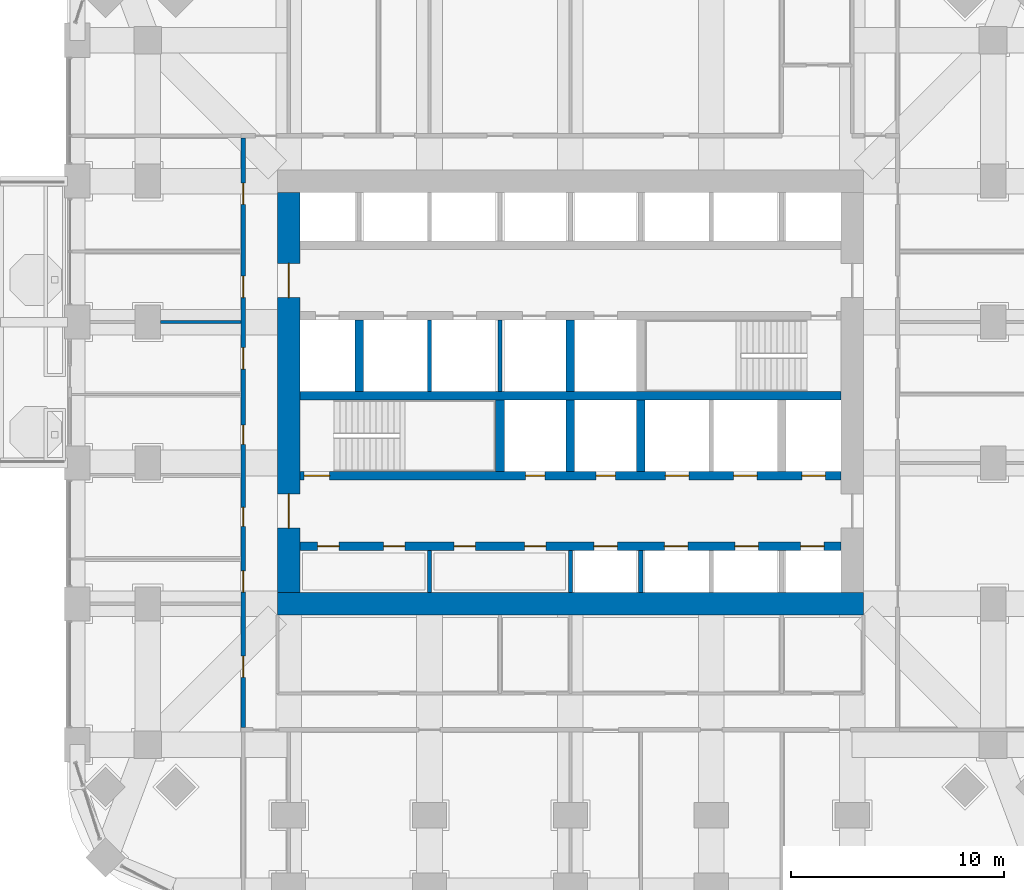
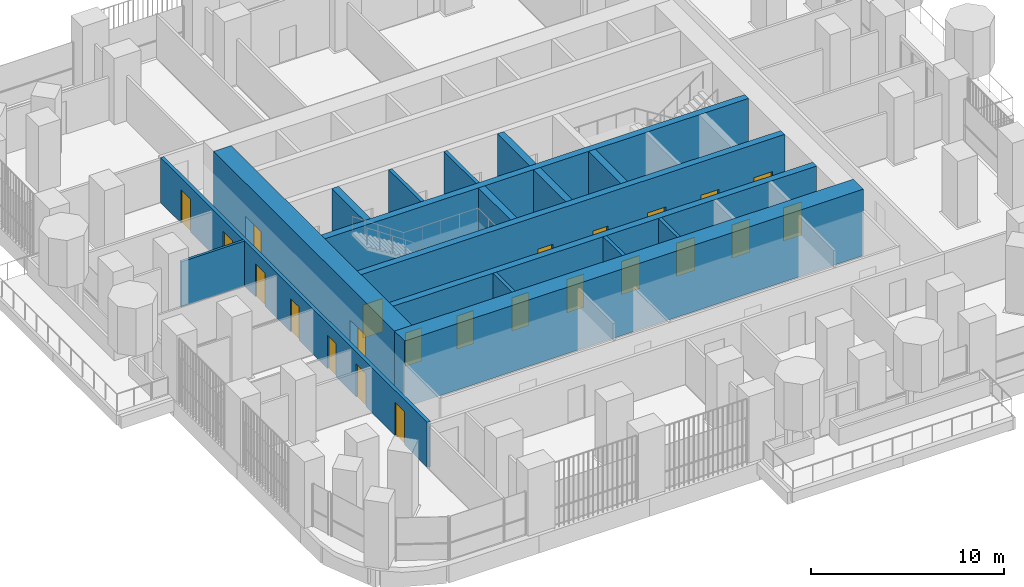
# One storey, part 15 of 23: 23 doors, 17 walls, 23 openings.
"""IFC4 building model written with IfcOpenShell, lengths in metres."""

from ifc_helpers import new_model, si_unit, direction, frame, frame_2d, origin, place, context, subcontext, project, spatial, rectangle, extrude, material, layer, layer_set, type_object, element, fill, save


model = new_model("IFC4")

# Units and contexts
model_context = context("Model", 3, precision=1e-05, world=origin(), true_north=direction((0.0, 1.0)))
body_context = subcontext(model_context, "Body", "Model", "MODEL_VIEW")
ifc_project = project(units=[si_unit("LENGTHUNIT", "METRE"), si_unit("AREAUNIT", "SQUARE_METRE"), si_unit("VOLUMEUNIT", "CUBIC_METRE"), si_unit("PLANEANGLEUNIT", "RADIAN"), si_unit("MASSUNIT", "GRAM", prefix="KILO")], contexts=[model_context])

# Site, building, storey
site_placement = place(None, origin())
site = spatial("IfcSite", under=ifc_project, at=site_placement, CompositionType="ELEMENT")
building_placement = place(site_placement, origin())
building = spatial("IfcBuilding", under=site, at=building_placement, Name="Cobogo Forest Laboratory Tower", CompositionType="ELEMENT")
storey_placement = place(building_placement, frame((0.0, 0.0, 103.199951171875)))
storey = spatial("IfcBuildingStorey", under=building, at=storey_placement, Name="L23", CompositionType="ELEMENT", Elevation=103.199951171875)

# Wall, openings, doors
ifc_material_1 = material(Name="Concrete HA-50 (C50/60)", Category="concrete")
ifc_layer_1 = layer(ifc_material_1, 0.39990234375)
ifc_layer_set_1 = layer_set([ifc_layer_1], Name="CI400 core inner wall 400")
wall_type_1 = type_object("IfcWallType", Name="CI400 core inner wall 400", PredefinedType="SHEAR", material=ifc_layer_set_1)
wall_1_placement = place(storey_placement, frame((13.72509765625, 15.89990234375, 0.0), z_axis=(0.0, 0.0, 1.0), x_axis=(1.0, 0.0, 0.0)))
wall_1 = element("IfcWall", 1, at=wall_1_placement, inside=storey, type_object=wall_type_1, Name="Core wall CI-15.9 L23", PredefinedType="SHEAR", context=body_context, shape_type="SweptSolid", body=[
    extrude(rectangle(XDim=25.349853515625, YDim=0.39990234375, at=frame_2d((12.6748046875, 0.0))), origin(), (0.0, 0.0, 1.0), 4.199951171875),
])
opening_1_placement = place(wall_1_placement, frame((0.83740234375, 0.0, 0.0)))
opening_1 = element("IfcOpeningElement", 2, at=opening_1_placement, cuts=wall_1, Name="Opening L23-D14", PredefinedType="OPENING", context=body_context, shape_type="SweptSolid", body=[
    extrude(rectangle(XDim=1.0, YDim=2.10009765625, at=frame_2d((0.5, 1.050048828125))), frame((0.0, 0.2099609375, 0.0), z_axis=(0.0, -1.0, 0.0), x_axis=(1.0, 0.0, 0.0)), (0.0, 0.0, 1.0), 0.419921875),
])
opening_2_placement = place(wall_1_placement, frame((3.925048828125, 0.0, 0.0)))
opening_2 = element("IfcOpeningElement", 3, at=opening_2_placement, cuts=wall_1, Name="Opening L23-D15", PredefinedType="OPENING", context=body_context, shape_type="SweptSolid", body=[
    extrude(rectangle(XDim=1.0, YDim=2.10009765625, at=frame_2d((0.5, 1.050048828125))), frame((0.0, 0.2099609375, 0.0), z_axis=(0.0, -1.0, 0.0), x_axis=(1.0, 0.0, 0.0)), (0.0, 0.0, 1.0), 0.419921875),
])
opening_3_placement = place(wall_1_placement, frame((7.22509765625, 0.0, 0.0)))
opening_3 = element("IfcOpeningElement", 4, at=opening_3_placement, cuts=wall_1, Name="Opening L23-D16", PredefinedType="OPENING", context=body_context, shape_type="SweptSolid", body=[
    extrude(rectangle(XDim=1.0, YDim=2.10009765625, at=frame_2d((0.5, 1.050048828125))), frame((0.0, 0.2099609375, 0.0), z_axis=(0.0, -1.0, 0.0), x_axis=(1.0, 0.0, 0.0)), (0.0, 0.0, 1.0), 0.419921875),
])
opening_4_placement = place(wall_1_placement, frame((10.52490234375, 0.0, 0.0)))
opening_4 = element("IfcOpeningElement", 5, at=opening_4_placement, cuts=wall_1, Name="Opening L23-D17", PredefinedType="OPENING", context=body_context, shape_type="SweptSolid", body=[
    extrude(rectangle(XDim=1.0, YDim=2.10009765625, at=frame_2d((0.5, 1.050048828125))), frame((0.0, 0.2099609375, 0.0), z_axis=(0.0, -1.0, 0.0), x_axis=(1.0, 0.0, 0.0)), (0.0, 0.0, 1.0), 0.419921875),
])
opening_5_placement = place(wall_1_placement, frame((13.77490234375, 0.0, 0.0)))
opening_5 = element("IfcOpeningElement", 6, at=opening_5_placement, cuts=wall_1, Name="Opening L23-LD-LB1", PredefinedType="OPENING", context=body_context, shape_type="SweptSolid", body=[
    extrude(rectangle(XDim=1.10009765625, YDim=2.10009765625, at=frame_2d((0.550048828125, 1.050048828125))), frame((0.0, 0.2099609375, 0.0), z_axis=(0.0, -1.0, 0.0), x_axis=(1.0, 0.0, 0.0)), (0.0, 0.0, 1.0), 0.419921875),
])
opening_6_placement = place(wall_1_placement, frame((17.074951171875, 0.0, 0.0)))
opening_6 = element("IfcOpeningElement", 7, at=opening_6_placement, cuts=wall_1, Name="Opening L23-LD-LB2", PredefinedType="OPENING", context=body_context, shape_type="SweptSolid", body=[
    extrude(rectangle(XDim=1.10009765625, YDim=2.10009765625, at=frame_2d((0.550048828125, 1.050048828125))), frame((0.0, 0.2099609375, 0.0), z_axis=(0.0, -1.0, 0.0), x_axis=(1.0, 0.0, 0.0)), (0.0, 0.0, 1.0), 0.419921875),
])
opening_7_placement = place(wall_1_placement, frame((20.375, 0.0, 0.0)))
opening_7 = element("IfcOpeningElement", 8, at=opening_7_placement, cuts=wall_1, Name="Opening L23-LD-LB3", PredefinedType="OPENING", context=body_context, shape_type="SweptSolid", body=[
    extrude(rectangle(XDim=1.10009765625, YDim=2.10009765625, at=frame_2d((0.550048828125, 1.050048828125))), frame((0.0, 0.2099609375, 0.0), z_axis=(0.0, -1.0, 0.0), x_axis=(1.0, 0.0, 0.0)), (0.0, 0.0, 1.0), 0.419921875),
])
opening_8_placement = place(wall_1_placement, frame((23.46240234375, 0.0, 0.0)))
opening_8 = element("IfcOpeningElement", 9, at=opening_8_placement, cuts=wall_1, Name="Opening L23-LD-LB4", PredefinedType="OPENING", context=body_context, shape_type="SweptSolid", body=[
    extrude(rectangle(XDim=1.10009765625, YDim=2.10009765625, at=frame_2d((0.550048828125, 1.050048828125))), frame((0.0, 0.2099609375, 0.0), z_axis=(0.0, -1.0, 0.0), x_axis=(1.0, 0.0, 0.0)), (0.0, 0.0, 1.0), 0.419921875),
])
ifc_material_2 = material(Name="Steel fire door", Category="steel")
door_type_1 = type_object("IfcDoorType", Name="FD1 fire door 1000 EI2 60", OperationType="SINGLE_SWING_LEFT", PredefinedType="DOOR", material=ifc_material_2)
door_1_placement = place(opening_1_placement, origin())
door_1 = element("IfcDoor", 10, at=door_1_placement, inside=storey, type_object=door_type_1, Name="Door L23-SH-LA1", OperationType="SINGLE_SWING_LEFT", OverallHeight=2.10009765625, OverallWidth=1.0, PredefinedType="DOOR", context=body_context, shape_type="SweptSolid", body=[
    extrude(rectangle(XDim=1.0, YDim=2.10009765625, at=frame_2d((0.5, 1.050048828125))), frame((0.0, 0.02490234375, 0.0), z_axis=(0.0, -1.0, 0.0), x_axis=(1.0, 0.0, 0.0)), (0.0, 0.0, 1.0), 0.050048828125),
])
fill(opening_1, door_1)
door_2_placement = place(opening_2_placement, origin())
door_2 = element("IfcDoor", 11, at=door_2_placement, inside=storey, type_object=door_type_1, Name="Door L23-SH-LA2", OperationType="SINGLE_SWING_LEFT", OverallHeight=2.10009765625, OverallWidth=1.0, PredefinedType="DOOR", context=body_context, shape_type="SweptSolid", body=[
    extrude(rectangle(XDim=1.0, YDim=2.10009765625, at=frame_2d((0.5, 1.050048828125))), frame((0.0, 0.02490234375, 0.0), z_axis=(0.0, -1.0, 0.0), x_axis=(1.0, 0.0, 0.0)), (0.0, 0.0, 1.0), 0.050048828125),
])
fill(opening_2, door_2)
door_3_placement = place(opening_3_placement, origin())
door_3 = element("IfcDoor", 12, at=door_3_placement, inside=storey, type_object=door_type_1, Name="Door L23-SH-LA3", OperationType="SINGLE_SWING_LEFT", OverallHeight=2.10009765625, OverallWidth=1.0, PredefinedType="DOOR", context=body_context, shape_type="SweptSolid", body=[
    extrude(rectangle(XDim=1.0, YDim=2.10009765625, at=frame_2d((0.5, 1.050048828125))), frame((0.0, 0.02490234375, 0.0), z_axis=(0.0, -1.0, 0.0), x_axis=(1.0, 0.0, 0.0)), (0.0, 0.0, 1.0), 0.050048828125),
])
fill(opening_3, door_3)
door_4_placement = place(opening_4_placement, origin())
door_4 = element("IfcDoor", 13, at=door_4_placement, inside=storey, type_object=door_type_1, Name="Door L23-SH-LA4", OperationType="SINGLE_SWING_LEFT", OverallHeight=2.10009765625, OverallWidth=1.0, PredefinedType="DOOR", context=body_context, shape_type="SweptSolid", body=[
    extrude(rectangle(XDim=1.0, YDim=2.10009765625, at=frame_2d((0.5, 1.050048828125))), frame((0.0, 0.02490234375, 0.0), z_axis=(0.0, -1.0, 0.0), x_axis=(1.0, 0.0, 0.0)), (0.0, 0.0, 1.0), 0.050048828125),
])
fill(opening_4, door_4)
ifc_material_3 = material(Name="Stainless steel lift door", Category="steel")
door_type_2 = type_object("IfcDoorType", Name="LD lift landing door 1100", OperationType="DOUBLE_DOOR_SLIDING", PredefinedType="DOOR", material=ifc_material_3)
door_5_placement = place(opening_5_placement, origin())
door_5 = element("IfcDoor", 14, at=door_5_placement, inside=storey, type_object=door_type_2, Name="Lift landing door LB1 L23", OperationType="DOUBLE_DOOR_SLIDING", OverallHeight=2.10009765625, OverallWidth=1.10009765625, PredefinedType="DOOR", context=body_context, shape_type="SweptSolid", body=[
    extrude(rectangle(XDim=1.10009765625, YDim=2.10009765625, at=frame_2d((0.550048828125, 1.050048828125))), frame((0.0, 0.02490234375, 0.0), z_axis=(0.0, -1.0, 0.0), x_axis=(1.0, 0.0, 0.0)), (0.0, 0.0, 1.0), 0.050048828125),
])
fill(opening_5, door_5)
door_6_placement = place(opening_6_placement, origin())
door_6 = element("IfcDoor", 15, at=door_6_placement, inside=storey, type_object=door_type_2, Name="Lift landing door LB2 L23", OperationType="DOUBLE_DOOR_SLIDING", OverallHeight=2.10009765625, OverallWidth=1.10009765625, PredefinedType="DOOR", context=body_context, shape_type="SweptSolid", body=[
    extrude(rectangle(XDim=1.10009765625, YDim=2.10009765625, at=frame_2d((0.550048828125, 1.050048828125))), frame((0.0, 0.02490234375, 0.0), z_axis=(0.0, -1.0, 0.0), x_axis=(1.0, 0.0, 0.0)), (0.0, 0.0, 1.0), 0.050048828125),
])
fill(opening_6, door_6)
door_7_placement = place(opening_7_placement, origin())
door_7 = element("IfcDoor", 16, at=door_7_placement, inside=storey, type_object=door_type_2, Name="Lift landing door LB3 L23", OperationType="DOUBLE_DOOR_SLIDING", OverallHeight=2.10009765625, OverallWidth=1.10009765625, PredefinedType="DOOR", context=body_context, shape_type="SweptSolid", body=[
    extrude(rectangle(XDim=1.10009765625, YDim=2.10009765625, at=frame_2d((0.550048828125, 1.050048828125))), frame((0.0, 0.02490234375, 0.0), z_axis=(0.0, -1.0, 0.0), x_axis=(1.0, 0.0, 0.0)), (0.0, 0.0, 1.0), 0.050048828125),
])
fill(opening_7, door_7)
door_8_placement = place(opening_8_placement, origin())
door_8 = element("IfcDoor", 17, at=door_8_placement, inside=storey, type_object=door_type_2, Name="Lift landing door LB4 L23", OperationType="DOUBLE_DOOR_SLIDING", OverallHeight=2.10009765625, OverallWidth=1.10009765625, PredefinedType="DOOR", context=body_context, shape_type="SweptSolid", body=[
    extrude(rectangle(XDim=1.10009765625, YDim=2.10009765625, at=frame_2d((0.550048828125, 1.050048828125))), frame((0.0, 0.02490234375, 0.0), z_axis=(0.0, -1.0, 0.0), x_axis=(1.0, 0.0, 0.0)), (0.0, 0.0, 1.0), 0.050048828125),
])
fill(opening_8, door_8)

wall_2_placement = place(storey_placement, frame((13.72509765625, 19.199951171875, 0.0), z_axis=(0.0, 0.0, 1.0), x_axis=(1.0, 0.0, 0.0)))
wall_2 = element("IfcWall", 18, at=wall_2_placement, inside=storey, type_object=wall_type_1, Name="Core wall CI-19.2 L23", PredefinedType="SHEAR", context=body_context, shape_type="SweptSolid", body=[
    extrude(rectangle(XDim=25.349853515625, YDim=0.39990234375, at=frame_2d((12.6748046875, 0.0))), origin(), (0.0, 0.0, 1.0), 4.199951171875),
])
opening_9_placement = place(wall_2_placement, frame((10.574951171875, 0.0, 0.0)))
opening_9 = element("IfcOpeningElement", 19, at=opening_9_placement, cuts=wall_2, Name="Opening L23-D22", PredefinedType="OPENING", context=body_context, shape_type="SweptSolid", body=[
    extrude(rectangle(XDim=0.89990234375, YDim=2.10009765625, at=frame_2d((0.449951171875, 1.050048828125))), frame((0.0, 0.2099609375, 0.0), z_axis=(0.0, -1.0, 0.0), x_axis=(1.0, 0.0, 0.0)), (0.0, 0.0, 1.0), 0.419921875),
])
opening_10_placement = place(wall_2_placement, frame((13.875, 0.0, 0.0)))
opening_10 = element("IfcOpeningElement", 20, at=opening_10_placement, cuts=wall_2, Name="Opening L23-D23", PredefinedType="OPENING", context=body_context, shape_type="SweptSolid", body=[
    extrude(rectangle(XDim=0.89990234375, YDim=2.10009765625, at=frame_2d((0.449951171875, 1.050048828125))), frame((0.0, 0.2099609375, 0.0), z_axis=(0.0, -1.0, 0.0), x_axis=(1.0, 0.0, 0.0)), (0.0, 0.0, 1.0), 0.419921875),
])
opening_11_placement = place(wall_2_placement, frame((0.199951171875, 0.0, 0.0)))
opening_11 = element("IfcOpeningElement", 21, at=opening_11_placement, cuts=wall_2, Name="Opening L23-D21", PredefinedType="OPENING", context=body_context, shape_type="SweptSolid", body=[
    extrude(rectangle(XDim=1.199951171875, YDim=2.10009765625, at=frame_2d((0.60009765625, 1.050048828125))), frame((0.0, 0.2099609375, 0.0), z_axis=(0.0, -1.0, 0.0), x_axis=(1.0, 0.0, 0.0)), (0.0, 0.0, 1.0), 0.419921875),
])
opening_12_placement = place(wall_2_placement, frame((23.512451171875, 0.0, 0.0)))
opening_12 = element("IfcOpeningElement", 22, at=opening_12_placement, cuts=wall_2, Name="Opening L23-LD-FL2", PredefinedType="OPENING", context=body_context, shape_type="SweptSolid", body=[
    extrude(rectangle(XDim=1.10009765625, YDim=2.10009765625, at=frame_2d((0.550048828125, 1.050048828125))), frame((0.0, 0.2099609375, 0.0), z_axis=(0.0, -1.0, 0.0), x_axis=(1.0, 0.0, 0.0)), (0.0, 0.0, 1.0), 0.419921875),
])
opening_13_placement = place(wall_2_placement, frame((17.125, 0.0, 0.0)))
opening_13 = element("IfcOpeningElement", 23, at=opening_13_placement, cuts=wall_2, Name="Opening L23-LD-LS1", PredefinedType="OPENING", context=body_context, shape_type="SweptSolid", body=[
    extrude(rectangle(XDim=1.10009765625, YDim=2.10009765625, at=frame_2d((0.550048828125, 1.050048828125))), frame((0.0, 0.2099609375, 0.0), z_axis=(0.0, -1.0, 0.0), x_axis=(1.0, 0.0, 0.0)), (0.0, 0.0, 1.0), 0.419921875),
])
opening_14_placement = place(wall_2_placement, frame((20.324951171875, 0.0, 0.0)))
opening_14 = element("IfcOpeningElement", 24, at=opening_14_placement, cuts=wall_2, Name="Opening L23-LD-LS2", PredefinedType="OPENING", context=body_context, shape_type="SweptSolid", body=[
    extrude(rectangle(XDim=1.10009765625, YDim=2.10009765625, at=frame_2d((0.550048828125, 1.050048828125))), frame((0.0, 0.2099609375, 0.0), z_axis=(0.0, -1.0, 0.0), x_axis=(1.0, 0.0, 0.0)), (0.0, 0.0, 1.0), 0.419921875),
])
door_type_3 = type_object("IfcDoorType", Name="DS1 protected stair door 1200 EI2 60", OperationType="SINGLE_SWING_LEFT", PredefinedType="DOOR", material=ifc_material_2)
door_9_placement = place(opening_11_placement, origin())
door_9 = element("IfcDoor", 25, at=door_9_placement, inside=storey, type_object=door_type_3, Name="Door L23-ST1", OperationType="SINGLE_SWING_LEFT", OverallHeight=2.10009765625, OverallWidth=1.199951171875, PredefinedType="DOOR", context=body_context, shape_type="SweptSolid", body=[
    extrude(rectangle(XDim=1.199951171875, YDim=2.10009765625, at=frame_2d((0.60009765625, 1.050048828125))), frame((0.0, 0.02490234375, 0.0), z_axis=(0.0, -1.0, 0.0), x_axis=(1.0, 0.0, 0.0)), (0.0, 0.0, 1.0), 0.050048828125),
])
fill(opening_11, door_9)
door_type_4 = type_object("IfcDoorType", Name="FD4 riser access door 900 EI2 60", OperationType="SINGLE_SWING_LEFT", PredefinedType="DOOR", material=ifc_material_2)
door_10_placement = place(opening_9_placement, origin())
door_10 = element("IfcDoor", 26, at=door_10_placement, inside=storey, type_object=door_type_4, Name="Door L23-R1", OperationType="SINGLE_SWING_LEFT", OverallHeight=2.10009765625, OverallWidth=0.89990234375, PredefinedType="DOOR", context=body_context, shape_type="SweptSolid", body=[
    extrude(rectangle(XDim=0.89990234375, YDim=2.10009765625, at=frame_2d((0.449951171875, 1.050048828125))), frame((0.0, 0.02490234375, 0.0), z_axis=(0.0, -1.0, 0.0), x_axis=(1.0, 0.0, 0.0)), (0.0, 0.0, 1.0), 0.050048828125),
])
fill(opening_9, door_10)
door_11_placement = place(opening_10_placement, origin())
door_11 = element("IfcDoor", 27, at=door_11_placement, inside=storey, type_object=door_type_4, Name="Door L23-R2", OperationType="SINGLE_SWING_RIGHT", OverallHeight=2.10009765625, OverallWidth=0.89990234375, PredefinedType="DOOR", context=body_context, shape_type="SweptSolid", body=[
    extrude(rectangle(XDim=0.89990234375, YDim=2.10009765625, at=frame_2d((0.449951171875, 1.050048828125))), frame((0.0, 0.02490234375, 0.0), z_axis=(0.0, -1.0, 0.0), x_axis=(1.0, 0.0, 0.0)), (0.0, 0.0, 1.0), 0.050048828125),
])
fill(opening_10, door_11)
door_12_placement = place(opening_12_placement, origin())
door_12 = element("IfcDoor", 28, at=door_12_placement, inside=storey, type_object=door_type_2, Name="Lift landing door FL2 L23", OperationType="DOUBLE_DOOR_SLIDING", OverallHeight=2.10009765625, OverallWidth=1.10009765625, PredefinedType="DOOR", context=body_context, shape_type="SweptSolid", body=[
    extrude(rectangle(XDim=1.10009765625, YDim=2.10009765625, at=frame_2d((0.550048828125, 1.050048828125))), frame((0.0, 0.02490234375, 0.0), z_axis=(0.0, -1.0, 0.0), x_axis=(1.0, 0.0, 0.0)), (0.0, 0.0, 1.0), 0.050048828125),
])
fill(opening_12, door_12)
door_13_placement = place(opening_13_placement, origin())
door_13 = element("IfcDoor", 29, at=door_13_placement, inside=storey, type_object=door_type_2, Name="Lift landing door LS1 L23", OperationType="DOUBLE_DOOR_SLIDING", OverallHeight=2.10009765625, OverallWidth=1.10009765625, PredefinedType="DOOR", context=body_context, shape_type="SweptSolid", body=[
    extrude(rectangle(XDim=1.10009765625, YDim=2.10009765625, at=frame_2d((0.550048828125, 1.050048828125))), frame((0.0, 0.02490234375, 0.0), z_axis=(0.0, -1.0, 0.0), x_axis=(1.0, 0.0, 0.0)), (0.0, 0.0, 1.0), 0.050048828125),
])
fill(opening_13, door_13)
door_14_placement = place(opening_14_placement, origin())
door_14 = element("IfcDoor", 30, at=door_14_placement, inside=storey, type_object=door_type_2, Name="Lift landing door LS2 L23", OperationType="DOUBLE_DOOR_SLIDING", OverallHeight=2.10009765625, OverallWidth=1.10009765625, PredefinedType="DOOR", context=body_context, shape_type="SweptSolid", body=[
    extrude(rectangle(XDim=1.10009765625, YDim=2.10009765625, at=frame_2d((0.550048828125, 1.050048828125))), frame((0.0, 0.02490234375, 0.0), z_axis=(0.0, -1.0, 0.0), x_axis=(1.0, 0.0, 0.0)), (0.0, 0.0, 1.0), 0.050048828125),
])
fill(opening_14, door_14)

# Walls
wall_3_placement = place(storey_placement, frame((13.72509765625, 22.949951171875, 0.0), z_axis=(0.0, 0.0, 1.0), x_axis=(1.0, 0.0, 0.0)))
element("IfcWall", 31, at=wall_3_placement, inside=storey, type_object=wall_type_1, Name="Core wall CI-22.95 L23", PredefinedType="SHEAR", context=body_context, shape_type="SweptSolid", body=[
    extrude(rectangle(XDim=25.349853515625, YDim=0.39990234375, at=frame_2d((12.6748046875, 0.0))), origin(), (0.0, 0.0, 1.0), 4.199951171875),
])
for number, where, z_axis, x_axis, name in (
    (32, (23.10009765625, 19.39990234375, 0.0), (0.0, 0.0, 1.0), (0.0, 1.0, 0.0), "Core wall CX-23.1 L23"),
    (33, (26.39990234375, 19.39990234375, 0.0), (0.0, 0.0, 1.0), (0.0, 1.0, 0.0), "Core wall CX-26.4S L23"),
    (34, (29.699951171875, 19.39990234375, 0.0), (0.0, 0.0, 1.0), (0.0, 1.0, 0.0), "Core wall CX-29.7S L23"),
    (35, (16.5, 23.14990234375, 0.0), (0.0, 0.0, 1.0), (0.0, 1.0, 0.0), "Core wall CX-16.5 L23"),
    (36, (26.39990234375, 23.14990234375, 0.0), (0.0, 0.0, 1.0), (0.0, 1.0, 0.0), "Core wall CX-26.4N L23"),
):
    element("IfcWall", number, at=place(storey_placement, frame(where, z_axis=z_axis, x_axis=x_axis)), inside=storey, type_object=wall_type_1, Name=name, PredefinedType="SHEAR", context=body_context, shape_type="SweptSolid", body=[
        extrude(rectangle(XDim=3.35009765625, YDim=0.39990234375, at=frame_2d((1.675048828125, 0.0))), origin(), (0.0, 0.0, 1.0), 4.199951171875),
    ])
ifc_layer_2 = layer(ifc_material_1, 1.050048828125)
ifc_layer_set_2 = layer_set([ifc_layer_2], Name="CW1050 core outer wall 1050")
wall_type_2 = type_object("IfcWallType", Name="CW1050 core outer wall 1050", PredefinedType="SHEAR", material=ifc_layer_set_2)
wall_4_placement = place(storey_placement, frame((12.675048828125, 13.199951171875, 0.0), z_axis=(0.0, 0.0, 1.0), x_axis=(1.0, 0.0, 0.0)))
element("IfcWall", 37, at=wall_4_placement, inside=storey, type_object=wall_type_2, Name="Core wall CO-S L23", PredefinedType="SHEAR", context=body_context, shape_type="SweptSolid", body=[
    extrude(rectangle(XDim=27.449951171875, YDim=1.050048828125, at=frame_2d((13.72509765625, 0.0))), origin(), (0.0, 0.0, 1.0), 4.199951171875),
])

# Wall, openings, doors
wall_5_placement = place(storey_placement, frame((13.199951171875, 32.47509765625, 0.0), z_axis=(0.0, 0.0, 1.0), x_axis=(0.0, -1.0, 0.0)))
wall_5 = element("IfcWall", 38, at=wall_5_placement, inside=storey, type_object=wall_type_2, Name="Core wall CO-W L23", PredefinedType="SHEAR", context=body_context, shape_type="SweptSolid", body=[
    extrude(rectangle(XDim=18.75, YDim=1.050048828125, at=frame_2d((9.375, 0.0))), origin(), (0.0, 0.0, 1.0), 4.199951171875),
])
opening_15_placement = place(wall_5_placement, frame((14.125, 0.0, 0.0)))
opening_15 = element("IfcOpeningElement", 39, at=opening_15_placement, cuts=wall_5, Name="Opening L23-D19", PredefinedType="OPENING", context=body_context, shape_type="SweptSolid", body=[
    extrude(rectangle(XDim=1.60009765625, YDim=2.10009765625, at=frame_2d((0.800048828125, 1.050048828125))), frame((0.0, 0.534912109375, 0.0), z_axis=(0.0, -1.0, 0.0), x_axis=(1.0, 0.0, 0.0)), (0.0, 0.0, 1.0), 1.070068359375),
])
opening_16_placement = place(wall_5_placement, frame((3.324951171875, 0.0, 0.0)))
opening_16 = element("IfcOpeningElement", 40, at=opening_16_placement, cuts=wall_5, Name="Opening L23-D33", PredefinedType="OPENING", context=body_context, shape_type="SweptSolid", body=[
    extrude(rectangle(XDim=1.60009765625, YDim=2.10009765625, at=frame_2d((0.800048828125, 1.050048828125))), frame((0.0, 0.534912109375, 0.0), z_axis=(0.0, -1.0, 0.0), x_axis=(1.0, 0.0, 0.0)), (0.0, 0.0, 1.0), 1.070068359375),
])
door_type_5 = type_object("IfcDoorType", Name="DS2 protected lobby door pair 1600 EI2 60", OperationType="DOUBLE_DOOR_DOUBLE_SWING", PredefinedType="DOOR", material=ifc_material_2)
door_15_placement = place(opening_15_placement, origin())
door_15 = element("IfcDoor", 41, at=door_15_placement, inside=storey, type_object=door_type_5, Name="Door L23-CO-W-S", OperationType="DOUBLE_DOOR_DOUBLE_SWING", OverallHeight=2.10009765625, OverallWidth=1.60009765625, PredefinedType="DOOR", context=body_context, shape_type="SweptSolid", body=[
    extrude(rectangle(XDim=1.60009765625, YDim=2.10009765625, at=frame_2d((0.800048828125, 1.050048828125))), frame((0.0, 0.02490234375, 0.0), z_axis=(0.0, -1.0, 0.0), x_axis=(1.0, 0.0, 0.0)), (0.0, 0.0, 1.0), 0.050048828125),
])
fill(opening_15, door_15)
door_16_placement = place(opening_16_placement, origin())
door_16 = element("IfcDoor", 42, at=door_16_placement, inside=storey, type_object=door_type_5, Name="Door L23-CO-W-N", OperationType="DOUBLE_DOOR_DOUBLE_SWING", OverallHeight=2.10009765625, OverallWidth=1.60009765625, PredefinedType="DOOR", context=body_context, shape_type="SweptSolid", body=[
    extrude(rectangle(XDim=1.60009765625, YDim=2.10009765625, at=frame_2d((0.800048828125, 1.050048828125))), frame((0.0, 0.02490234375, 0.0), z_axis=(0.0, -1.0, 0.0), x_axis=(1.0, 0.0, 0.0)), (0.0, 0.0, 1.0), 0.050048828125),
])
fill(opening_16, door_16)

# Wall
ifc_material_4 = material(Name="Gypsum board on steel studs", Category="steel")
ifc_layer_3 = layer(ifc_material_4, 0.14990234375)
ifc_layer_set_3 = layer_set([ifc_layer_3], Name="PT1 laboratory partition 150")
wall_type_3 = type_object("IfcWallType", Name="PT1 laboratory partition 150", PredefinedType="PARTITIONING", material=ifc_layer_set_3)
wall_6_placement = place(storey_placement, frame((7.199951171875, 26.39990234375, 0.0), z_axis=(0.0, 0.0, 1.0), x_axis=(1.0, 0.0, 0.0)))
element("IfcWall", 43, at=wall_6_placement, inside=storey, type_object=wall_type_3, Name="Partition CUT-W26.4-2 L23", PredefinedType="PARTITIONING", context=body_context, shape_type="SweptSolid", body=[
    extrude(rectangle(XDim=3.775146484375, YDim=0.14990234375, at=frame_2d((1.8876953125, 0.0))), origin(), (0.0, 0.0, 1.0), 2.85009765625),
])

# Wall, openings, doors
ifc_layer_4 = layer(ifc_material_4, 0.199951171875)
ifc_layer_set_4 = layer_set([ifc_layer_4], Name="PT2 fire-rated corridor partition 200")
wall_type_4 = type_object("IfcWallType", Name="PT2 fire-rated corridor partition 200", PredefinedType="PARTITIONING", material=ifc_layer_set_4)
wall_7_placement = place(storey_placement, frame((11.074951171875, 7.39990234375, 0.0), z_axis=(0.0, 0.0, 1.0), x_axis=(0.0, 1.0, 0.0)))
wall_7 = element("IfcWall", 44, at=wall_7_placement, inside=storey, type_object=wall_type_4, Name="Partition CORR-W L23", PredefinedType="PARTITIONING", context=body_context, shape_type="SweptSolid", body=[
    extrude(rectangle(XDim=27.625, YDim=0.199951171875, at=frame_2d((13.8125, 0.0))), origin(), (0.0, 0.0, 1.0), 2.85009765625),
])
opening_17_placement = place(wall_7_placement, frame((2.35009765625, 0.0, 0.0)))
opening_17 = element("IfcOpeningElement", 45, at=opening_17_placement, cuts=wall_7, Name="Opening L23-D11", PredefinedType="OPENING", context=body_context, shape_type="SweptSolid", body=[
    extrude(rectangle(XDim=1.0, YDim=2.10009765625, at=frame_2d((0.5, 1.050048828125))), frame((0.0, 0.10986328125, 0.0), z_axis=(0.0, -1.0, 0.0), x_axis=(1.0, 0.0, 0.0)), (0.0, 0.0, 1.0), 0.219970703125),
])
opening_18_placement = place(wall_7_placement, frame((6.35009765625, 0.0, 0.0)))
opening_18 = element("IfcOpeningElement", 46, at=opening_18_placement, cuts=wall_7, Name="Opening L23-D13", PredefinedType="OPENING", context=body_context, shape_type="SweptSolid", body=[
    extrude(rectangle(XDim=1.0, YDim=2.10009765625, at=frame_2d((0.5, 1.050048828125))), frame((0.0, 0.10986328125, 0.0), z_axis=(0.0, -1.0, 0.0), x_axis=(1.0, 0.0, 0.0)), (0.0, 0.0, 1.0), 0.219970703125),
])
opening_19_placement = place(wall_7_placement, frame((9.425048828125, 0.0, 0.0)))
opening_19 = element("IfcOpeningElement", 47, at=opening_19_placement, cuts=wall_7, Name="Opening L23-D18", PredefinedType="OPENING", context=body_context, shape_type="SweptSolid", body=[
    extrude(rectangle(XDim=0.89990234375, YDim=2.10009765625, at=frame_2d((0.449951171875, 1.050048828125))), frame((0.0, 0.10986328125, 0.0), z_axis=(0.0, -1.0, 0.0), x_axis=(1.0, 0.0, 0.0)), (0.0, 0.0, 1.0), 0.219970703125),
])
opening_20_placement = place(wall_7_placement, frame((13.27490234375, 0.0, 0.0)))
opening_20 = element("IfcOpeningElement", 48, at=opening_20_placement, cuts=wall_7, Name="Opening L23-D24", PredefinedType="OPENING", context=body_context, shape_type="SweptSolid", body=[
    extrude(rectangle(XDim=0.89990234375, YDim=2.10009765625, at=frame_2d((0.449951171875, 1.050048828125))), frame((0.0, 0.10986328125, 0.0), z_axis=(0.0, -1.0, 0.0), x_axis=(1.0, 0.0, 0.0)), (0.0, 0.0, 1.0), 0.219970703125),
])
opening_21_placement = place(wall_7_placement, frame((16.800048828125, 0.0, 0.0)))
opening_21 = element("IfcOpeningElement", 49, at=opening_21_placement, cuts=wall_7, Name="Opening L23-D28", PredefinedType="OPENING", context=body_context, shape_type="SweptSolid", body=[
    extrude(rectangle(XDim=1.0, YDim=2.10009765625, at=frame_2d((0.5, 1.050048828125))), frame((0.0, 0.10986328125, 0.0), z_axis=(0.0, -1.0, 0.0), x_axis=(1.0, 0.0, 0.0)), (0.0, 0.0, 1.0), 0.219970703125),
])
opening_22_placement = place(wall_7_placement, frame((20.14990234375, 0.0, 0.0)))
opening_22 = element("IfcOpeningElement", 50, at=opening_22_placement, cuts=wall_7, Name="Opening L23-D31", PredefinedType="OPENING", context=body_context, shape_type="SweptSolid", body=[
    extrude(rectangle(XDim=1.0, YDim=2.10009765625, at=frame_2d((0.5, 1.050048828125))), frame((0.0, 0.10986328125, 0.0), z_axis=(0.0, -1.0, 0.0), x_axis=(1.0, 0.0, 0.0)), (0.0, 0.0, 1.0), 0.219970703125),
])
opening_23_placement = place(wall_7_placement, frame((24.512451171875, 0.0, 0.0)))
opening_23 = element("IfcOpeningElement", 51, at=opening_23_placement, cuts=wall_7, Name="Opening L23-D35", PredefinedType="OPENING", context=body_context, shape_type="SweptSolid", body=[
    extrude(rectangle(XDim=1.0, YDim=2.10009765625, at=frame_2d((0.5, 1.050048828125))), frame((0.0, 0.10986328125, 0.0), z_axis=(0.0, -1.0, 0.0), x_axis=(1.0, 0.0, 0.0)), (0.0, 0.0, 1.0), 0.219970703125),
])
ifc_material_5 = material(Name="Timber fire door", Category="wood")
door_type_6 = type_object("IfcDoorType", Name="FD2 fire door 1000 EI2 30", OperationType="SINGLE_SWING_LEFT", PredefinedType="DOOR", material=ifc_material_5)
door_17_placement = place(opening_17_placement, origin())
door_17 = element("IfcDoor", 52, at=door_17_placement, inside=storey, type_object=door_type_6, Name="Door L23-W1", OperationType="SINGLE_SWING_LEFT", OverallHeight=2.10009765625, OverallWidth=1.0, PredefinedType="DOOR", context=body_context, shape_type="SweptSolid", body=[
    extrude(rectangle(XDim=1.0, YDim=2.10009765625, at=frame_2d((0.5, 1.050048828125))), frame((0.0, 0.02490234375, 0.0), z_axis=(0.0, -1.0, 0.0), x_axis=(1.0, 0.0, 0.0)), (0.0, 0.0, 1.0), 0.050048828125),
])
fill(opening_17, door_17)
door_18_placement = place(opening_21_placement, origin())
door_18 = element("IfcDoor", 53, at=door_18_placement, inside=storey, type_object=door_type_6, Name="Door L23-SHW", OperationType="SINGLE_SWING_RIGHT", OverallHeight=2.10009765625, OverallWidth=1.0, PredefinedType="DOOR", context=body_context, shape_type="SweptSolid", body=[
    extrude(rectangle(XDim=1.0, YDim=2.10009765625, at=frame_2d((0.5, 1.050048828125))), frame((0.0, 0.02490234375, 0.0), z_axis=(0.0, -1.0, 0.0), x_axis=(1.0, 0.0, 0.0)), (0.0, 0.0, 1.0), 0.050048828125),
])
fill(opening_21, door_18)
door_19_placement = place(opening_22_placement, origin())
door_19 = element("IfcDoor", 54, at=door_19_placement, inside=storey, type_object=door_type_6, Name="Door L23-W3", OperationType="SINGLE_SWING_RIGHT", OverallHeight=2.10009765625, OverallWidth=1.0, PredefinedType="DOOR", context=body_context, shape_type="SweptSolid", body=[
    extrude(rectangle(XDim=1.0, YDim=2.10009765625, at=frame_2d((0.5, 1.050048828125))), frame((0.0, 0.02490234375, 0.0), z_axis=(0.0, -1.0, 0.0), x_axis=(1.0, 0.0, 0.0)), (0.0, 0.0, 1.0), 0.050048828125),
])
fill(opening_22, door_19)
door_20_placement = place(opening_23_placement, origin())
door_20 = element("IfcDoor", 55, at=door_20_placement, inside=storey, type_object=door_type_6, Name="Door L23-W4", OperationType="SINGLE_SWING_RIGHT", OverallHeight=2.10009765625, OverallWidth=1.0, PredefinedType="DOOR", context=body_context, shape_type="SweptSolid", body=[
    extrude(rectangle(XDim=1.0, YDim=2.10009765625, at=frame_2d((0.5, 1.050048828125))), frame((0.0, 0.02490234375, 0.0), z_axis=(0.0, -1.0, 0.0), x_axis=(1.0, 0.0, 0.0)), (0.0, 0.0, 1.0), 0.050048828125),
])
fill(opening_23, door_20)
door_type_7 = type_object("IfcDoorType", Name="FD3 toilet fire door 900 EI2 30", OperationType="SINGLE_SWING_LEFT", PredefinedType="DOOR", material=ifc_material_5)
door_21_placement = place(opening_19_placement, origin())
door_21 = element("IfcDoor", 56, at=door_21_placement, inside=storey, type_object=door_type_7, Name="Door L23-WCF", OperationType="SINGLE_SWING_LEFT", OverallHeight=2.10009765625, OverallWidth=0.89990234375, PredefinedType="DOOR", context=body_context, shape_type="SweptSolid", body=[
    extrude(rectangle(XDim=0.89990234375, YDim=2.10009765625, at=frame_2d((0.449951171875, 1.050048828125))), frame((0.0, 0.02490234375, 0.0), z_axis=(0.0, -1.0, 0.0), x_axis=(1.0, 0.0, 0.0)), (0.0, 0.0, 1.0), 0.050048828125),
])
fill(opening_19, door_21)
door_22_placement = place(opening_20_placement, origin())
door_22 = element("IfcDoor", 57, at=door_22_placement, inside=storey, type_object=door_type_7, Name="Door L23-WCM", OperationType="SINGLE_SWING_LEFT", OverallHeight=2.10009765625, OverallWidth=0.89990234375, PredefinedType="DOOR", context=body_context, shape_type="SweptSolid", body=[
    extrude(rectangle(XDim=0.89990234375, YDim=2.10009765625, at=frame_2d((0.449951171875, 1.050048828125))), frame((0.0, 0.02490234375, 0.0), z_axis=(0.0, -1.0, 0.0), x_axis=(1.0, 0.0, 0.0)), (0.0, 0.0, 1.0), 0.050048828125),
])
fill(opening_20, door_22)
door_type_8 = type_object("IfcDoorType", Name="FDA1 accessible toilet fire door 1000 EI2 30", OperationType="SINGLE_SWING_RIGHT", PredefinedType="DOOR", material=ifc_material_5)
door_23_placement = place(opening_18_placement, origin())
door_23 = element("IfcDoor", 58, at=door_23_placement, inside=storey, type_object=door_type_8, Name="Door L23-WCA", OperationType="SINGLE_SWING_LEFT", OverallHeight=2.10009765625, OverallWidth=1.0, PredefinedType="DOOR", context=body_context, shape_type="SweptSolid", body=[
    extrude(rectangle(XDim=1.0, YDim=2.10009765625, at=frame_2d((0.5, 1.050048828125))), frame((0.0, 0.02490234375, 0.0), z_axis=(0.0, -1.0, 0.0), x_axis=(1.0, 0.0, 0.0)), (0.0, 0.0, 1.0), 0.050048828125),
])
fill(opening_18, door_23)

# Walls
ifc_material_6 = material(Name="Concrete block", Category="concrete")
ifc_layer_5 = layer(ifc_material_6, 0.199951171875)
ifc_layer_set_5 = layer_set([ifc_layer_5], Name="SW200 lift shaft separator 200")
wall_type_5 = type_object("IfcWallType", Name="SW200 lift shaft separator 200", PredefinedType="PARTITIONING", material=ifc_layer_set_5)
for number, where, z_axis, x_axis, name in (
    (59, (19.800048828125, 13.72509765625, 0.0), (0.0, 0.0, 1.0), (0.0, 1.0, 0.0), "Core wall SEP-S2 L23"),
    (60, (26.39990234375, 13.72509765625, 0.0), (0.0, 0.0, 1.0), (0.0, 1.0, 0.0), "Core wall SEP-S4 L23"),
    (61, (29.699951171875, 13.72509765625, 0.0), (0.0, 0.0, 1.0), (0.0, 1.0, 0.0), "Core wall SEP-S5 L23"),
):
    element("IfcWall", number, at=place(storey_placement, frame(where, z_axis=z_axis, x_axis=x_axis)), inside=storey, type_object=wall_type_5, Name=name, PredefinedType="PARTITIONING", context=body_context, shape_type="SweptSolid", body=[
        extrude(rectangle(XDim=1.974853515625, YDim=0.199951171875, at=frame_2d((0.9873046875, 0.0))), origin(), (0.0, 0.0, 1.0), 4.199951171875),
    ])
for number, where, z_axis, x_axis, name in (
    (62, (19.800048828125, 23.14990234375, 0.0), (0.0, 0.0, 1.0), (0.0, 1.0, 0.0), "Core wall SEP-M19.8 L23"),
    (63, (23.10009765625, 23.14990234375, 0.0), (0.0, 0.0, 1.0), (0.0, 1.0, 0.0), "Core wall SEP-M23.1 L23"),
):
    element("IfcWall", number, at=place(storey_placement, frame(where, z_axis=z_axis, x_axis=x_axis)), inside=storey, type_object=wall_type_5, Name=name, PredefinedType="PARTITIONING", context=body_context, shape_type="SweptSolid", body=[
        extrude(rectangle(XDim=3.35009765625, YDim=0.199951171875, at=frame_2d((1.675048828125, 0.0))), origin(), (0.0, 0.0, 1.0), 4.199951171875),
    ])

save(model, "model.ifc")
